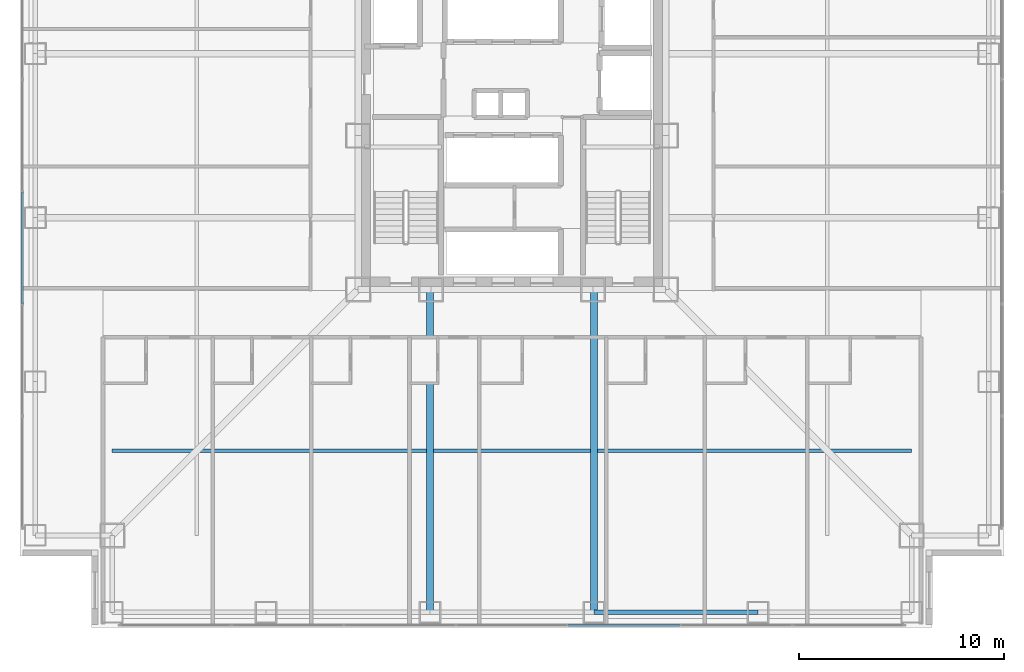
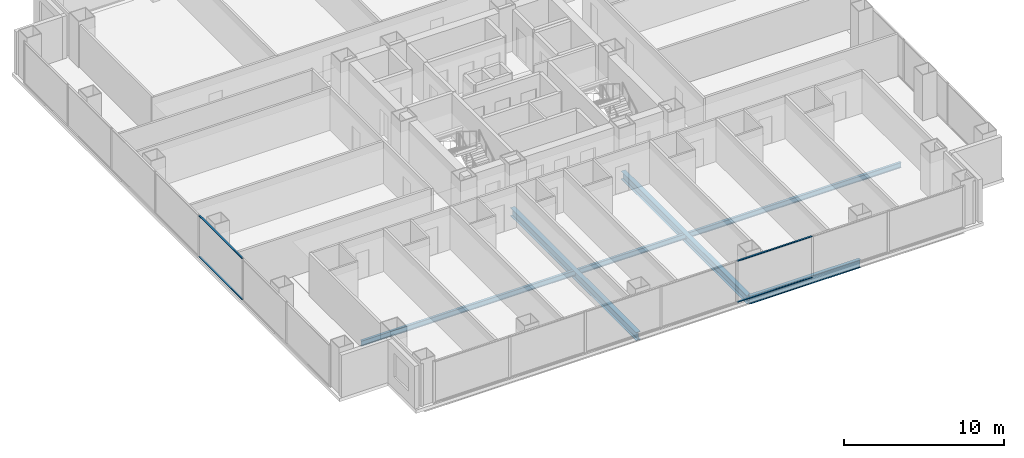
# One storey, part 3 of 20: 4 beams, 4 members, 2 elements without a shape of their own.
"""IFC4 building model written with IfcOpenShell, lengths in metres."""

from ifc_helpers import new_model, si_unit, direction, frame, origin, origin_2d, place, context, subcontext, project, spatial, rectangle, i_section, extrude, material, layer, layer_set, material_profile, profile_set, type_object, element, aggregate, save


model = new_model("IFC4")

# Units and contexts
model_context = context("Model", 3, precision=1e-05, world=origin(), true_north=direction((0.0, 1.0)))
body_context = subcontext(model_context, "Body", "Model", "MODEL_VIEW")
ifc_project = project(units=[si_unit("LENGTHUNIT", "METRE"), si_unit("AREAUNIT", "SQUARE_METRE"), si_unit("VOLUMEUNIT", "CUBIC_METRE"), si_unit("PLANEANGLEUNIT", "RADIAN"), si_unit("MASSUNIT", "GRAM", prefix="KILO")], contexts=[model_context])

# Site, building, storey
site_placement = place(None, origin())
site = spatial("IfcSite", under=ifc_project, at=site_placement, CompositionType="ELEMENT")
building_placement = place(site_placement, origin())
building = spatial("IfcBuilding", under=site, at=building_placement, Name="Trevonay Congress Spire", CompositionType="ELEMENT")
storey_placement = place(building_placement, frame((0.0, 0.0, 62.0)))
storey = spatial("IfcBuildingStorey", under=building, at=storey_placement, Name="L15", CompositionType="ELEMENT", Elevation=62.0)

# Beams
ifc_material_1 = material(Name="Steel ASTM A572 Grade 50", Category="steel")
ifc_material_profile_1 = material_profile(ifc_material_1, i_section(OverallWidth=0.324951171875, OverallDepth=0.615966796875, WebThickness=0.013916015625, FlangeThickness=0.021484375, FilletRadius=0.01806640625, at=origin_2d()), Name="W610x174")
ifc_profile_set_1 = profile_set([ifc_material_profile_1], Name="Steel ASTM A572 Grade 50")
beam_type_1 = type_object("IfcBeamType", Name="BM-GIRD-W610X174", PredefinedType="BEAM", material=ifc_profile_set_1)
for number, where, z_axis, x_axis, name in (
    (1, (-4.0, -7.5, -0.55810546875), (0.0, -1.0, 0.0), (1.0, 0.0, 0.0), "L15 structural beam BM-L15-GS-M"),
    (2, (4.0, -7.5, -0.55810546875), (0.0, -1.0, 0.0), (1.0, 0.0, 0.0), "L15 structural beam BM-L15-GS-P"),
):
    element("IfcBeam", number, at=place(storey_placement, frame(where, z_axis=z_axis, x_axis=x_axis)), inside=storey, type_object=beam_type_1, Name=name, PredefinedType="BEAM", context=body_context, shape_type="SweptSolid", body=[
        extrude(i_section(OverallWidth=0.324951171875, OverallDepth=0.615966796875, WebThickness=0.013916015625, FlangeThickness=0.021484375, FilletRadius=0.01806640625, at=origin_2d()), origin(), (0.0, 0.0, 1.0), 15.75),
    ])
ifc_material_profile_2 = material_profile(ifc_material_1, i_section(OverallWidth=0.22998046875, OverallDepth=0.616943359375, WebThickness=0.01318359375, FlangeThickness=0.022216796875, FilletRadius=0.01611328125, at=origin_2d()), Name="W610x140")
ifc_profile_set_2 = profile_set([ifc_material_profile_2], Name="Steel ASTM A572 Grade 50")
beam_type_2 = type_object("IfcBeamType", Name="BM-RING-W610X140", PredefinedType="BEAM", material=ifc_profile_set_2)
beam_1_placement = place(storey_placement, frame((4.0, -23.25, -0.55859375), z_axis=(1.0, 0.0, 0.0), x_axis=(0.0, 1.0, 0.0)))
element("IfcBeam", 3, at=beam_1_placement, inside=storey, type_object=beam_type_2, Name="L15 structural beam BM-L15-PS4", PredefinedType="BEAM", context=body_context, shape_type="SweptSolid", body=[
    extrude(i_section(OverallWidth=0.22998046875, OverallDepth=0.616943359375, WebThickness=0.01318359375, FlangeThickness=0.022216796875, FilletRadius=0.01611328125, at=origin_2d()), origin(), (0.0, 0.0, 1.0), 8.0),
])

# Curtain wall, members
ifc_material_2 = material(Name="Pale Anodised Aluminium EN AW-6063-T6", Category="aluminium")
ifc_layer = layer(ifc_material_2, 0.179931640625, Name="Pale Anodised Aluminium EN AW-6063-T6")
ifc_layer_set = layer_set([ifc_layer], Name="Pale Anodised Aluminium EN AW-6063-T6")
curtain_wall_type = type_object("IfcCurtainWallType", Name="CW-SYS02-HOTEL-PALE-METAL", PredefinedType="NOTDEFINED", material=ifc_layer_set)
curtain_wall_1_placement = place(storey_placement, origin())
curtain_wall_1 = element("IfcCurtainWall", 4, at=curtain_wall_1_placement, inside=storey, type_object=curtain_wall_type, Name="L15 S unitised curtain wall", PredefinedType="NOTDEFINED")
ifc_material_profile_3 = material_profile(ifc_material_2, rectangle(XDim=0.1201171875, YDim=0.06005859375, at=origin_2d()), Name="CW-TRANSOM-120-ALUMINIUM")
ifc_profile_set_3 = profile_set([ifc_material_profile_3], Name="Pale Anodised Aluminium EN AW-6063-T6")
member_type = type_object("IfcMemberType", Name="CW-TRANSOM-120-ALUMINIUM", PredefinedType="USERDEFINED", material=ifc_profile_set_3)
member_1_placement = place(storey_placement, frame((2.765625, -23.8798828125, 0.06005859375), z_axis=(1.0, 0.0, 0.0), x_axis=(0.0, 1.0, 0.0)))
member_1 = element("IfcMember", 5, at=member_1_placement, type_object=member_type, Name="CW02 transom 5.1", ObjectType="TRANSOM", PredefinedType="USERDEFINED", context=body_context, shape_type="SweptSolid", body=[
    extrude(rectangle(XDim=0.1201171875, YDim=0.06005859375, at=origin_2d()), origin(), (0.0, 0.0, 1.0), 5.41162109375),
])
member_2_placement = place(storey_placement, frame((2.765625, -23.8798828125, 3.18994140625), z_axis=(1.0, 0.0, 0.0), x_axis=(0.0, 1.0, 0.0)))
member_2 = element("IfcMember", 6, at=member_2_placement, type_object=member_type, Name="CW02 transom 5.2", ObjectType="TRANSOM", PredefinedType="USERDEFINED", context=body_context, shape_type="SweptSolid", body=[
    extrude(rectangle(XDim=0.1201171875, YDim=0.06005859375, at=origin_2d()), origin(), (0.0, 0.0, 1.0), 5.41162109375),
])
aggregate(curtain_wall_1, [member_1, member_2])

curtain_wall_2_placement = place(storey_placement, origin())
curtain_wall_2 = element("IfcCurtainWall", 7, at=curtain_wall_2_placement, inside=storey, type_object=curtain_wall_type, Name="L15 W unitised curtain wall", PredefinedType="NOTDEFINED")
member_3_placement = place(storey_placement, frame((-23.8798828125, -8.17724609375, 0.06005859375), z_axis=(0.0, 1.0, 0.0), x_axis=(-1.0, 0.0, 0.0)))
member_3 = element("IfcMember", 8, at=member_3_placement, type_object=member_type, Name="CW02 transom 3.1", ObjectType="TRANSOM", PredefinedType="USERDEFINED", context=body_context, shape_type="SweptSolid", body=[
    extrude(rectangle(XDim=0.1201171875, YDim=0.06005859375, at=origin_2d()), origin(), (0.0, 0.0, 1.0), 5.41162109375),
])
member_4_placement = place(storey_placement, frame((-23.8798828125, -8.17724609375, 3.18994140625), z_axis=(0.0, 1.0, 0.0), x_axis=(-1.0, 0.0, 0.0)))
member_4 = element("IfcMember", 9, at=member_4_placement, type_object=member_type, Name="CW02 transom 3.2", ObjectType="TRANSOM", PredefinedType="USERDEFINED", context=body_context, shape_type="SweptSolid", body=[
    extrude(rectangle(XDim=0.1201171875, YDim=0.06005859375, at=origin_2d()), origin(), (0.0, 0.0, 1.0), 5.41162109375),
])
aggregate(curtain_wall_2, [member_3, member_4])

# Beam
ifc_material_profile_4 = material_profile(ifc_material_1, i_section(OverallWidth=0.177978515625, OverallDepth=0.406982421875, WebThickness=0.0078125, FlangeThickness=0.0126953125, FilletRadius=0.012939453125, at=origin_2d()), Name="W410x60")
ifc_profile_set_4 = profile_set([ifc_material_profile_4], Name="Steel ASTM A572 Grade 50")
beam_type_3 = type_object("IfcBeamType", Name="JS-COMP-W410X60", PredefinedType="JOIST", material=ifc_profile_set_4)
beam_2_placement = place(storey_placement, frame((-19.5, -15.375, -0.45361328125), z_axis=(1.0, 0.0, 0.0), x_axis=(0.0, 1.0, 0.0)))
element("IfcBeam", 10, at=beam_2_placement, inside=storey, type_object=beam_type_3, Name="L15 structural beam JS-L15-RING-S", PredefinedType="JOIST", context=body_context, shape_type="SweptSolid", body=[
    extrude(i_section(OverallWidth=0.177978515625, OverallDepth=0.406982421875, WebThickness=0.0078125, FlangeThickness=0.0126953125, FilletRadius=0.012939453125, at=origin_2d()), origin(), (0.0, 0.0, 1.0), 39.0),
])

save(model, "model.ifc")
